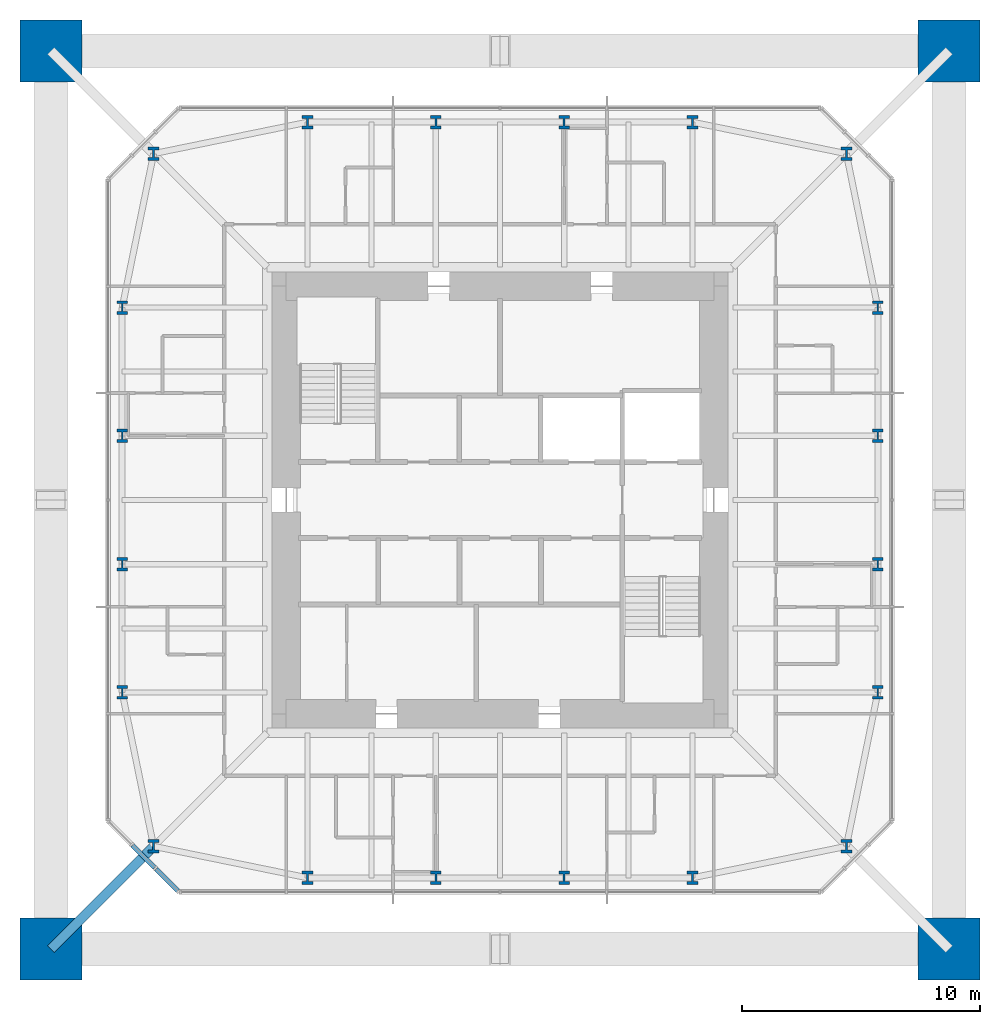
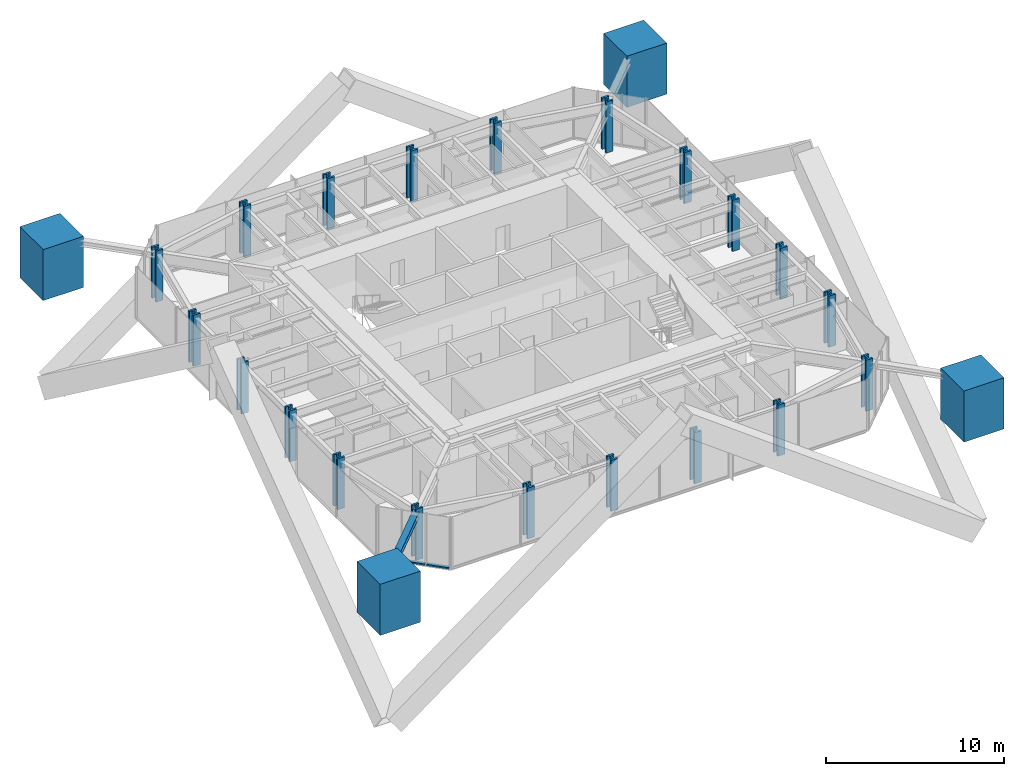
# One storey, part 1 of 10: 24 columns, 3 members, 1 element without a shape of its own.
"""IFC4 building model written with IfcOpenShell, lengths in metres."""

from ifc_helpers import new_model, si_unit, direction, frame, origin, origin_2d, place, context, subcontext, project, spatial, rectangle, i_section, extrude, material, material_profile, profile_set, type_object, element, aggregate, save


model = new_model("IFC4")

# Units and contexts
model_context = context("Model", 3, precision=1e-05, world=origin(), true_north=direction((0.0, 1.0)))
body_context = subcontext(model_context, "Body", "Model", "MODEL_VIEW")
ifc_project = project(units=[si_unit("LENGTHUNIT", "METRE"), si_unit("AREAUNIT", "SQUARE_METRE"), si_unit("VOLUMEUNIT", "CUBIC_METRE"), si_unit("PLANEANGLEUNIT", "RADIAN"), si_unit("MASSUNIT", "GRAM", prefix="KILO")], contexts=[model_context])

# Site, building, storey
site_placement = place(None, origin())
site = spatial("IfcSite", under=ifc_project, at=site_placement, CompositionType="ELEMENT")
building_placement = place(site_placement, origin())
building = spatial("IfcBuilding", under=site, at=building_placement, Name="Iwan Alto Co-Living Towers", CompositionType="ELEMENT")
storey_placement = place(building_placement, frame((0.0, 0.0, 246.5)))
storey = spatial("IfcBuildingStorey", under=building, at=storey_placement, Name="L67", CompositionType="ELEMENT", Elevation=246.5)

# Columns
ifc_material_1 = material(Name="Concrete f'c 70 MPa", Category="concrete")
ifc_material_profile_1 = material_profile(ifc_material_1, rectangle(XDim=2.60009765625, YDim=2.60009765625, at=origin_2d()), Name="RC 2600X2600")
ifc_profile_set_1 = profile_set([ifc_material_profile_1], Name="Concrete f'c 70 MPa")
column_type_1 = type_object("IfcColumnType", Name="T1 MEGA COLUMN RC 2600X2600", PredefinedType="COLUMN", material=ifc_profile_set_1)
for number, where, z_axis, x_axis, name in (
    (1, (-18.89990234375, -18.89990234375, 0.0), (0.0, 0.0, 1.0), (1.0, 0.0, 0.0), "T1 mega column SW L67"),
    (2, (18.89990234375, -18.89990234375, 0.0), (0.0, 0.0, 1.0), (1.0, 0.0, 0.0), "T1 mega column SE L67"),
    (3, (18.89990234375, 18.89990234375, 0.0), (0.0, 0.0, 1.0), (1.0, 0.0, 0.0), "T1 mega column NE L67"),
    (4, (-18.89990234375, 18.89990234375, 0.0), (0.0, 0.0, 1.0), (1.0, 0.0, 0.0), "T1 mega column NW L67"),
):
    element("IfcColumn", number, at=place(storey_placement, frame(where, z_axis=z_axis, x_axis=x_axis)), inside=storey, type_object=column_type_1, Name=name, PredefinedType="COLUMN", context=body_context, shape_type="SweptSolid", body=[
        extrude(rectangle(XDim=2.60009765625, YDim=2.60009765625, at=origin_2d()), origin(), (0.0, 0.0, 1.0), 3.5),
        extrude(i_section(OverallWidth=0.4775390625, OverallDepth=0.599365234375, WebThickness=0.10009765625, FlangeThickness=0.139892578125, at=origin_2d()), origin(), (0.0, 0.0, 1.0), 3.5),
    ])
ifc_material_2 = material(Name="Steel ASTM A992 Gr 50", Category="steel")
ifc_material_profile_2 = material_profile(ifc_material_2, i_section(OverallWidth=0.45458984375, OverallDepth=0.56884765625, WebThickness=0.077880859375, FlangeThickness=0.124755859375, at=origin_2d()), Name="W14X730")
ifc_profile_set_2 = profile_set([ifc_material_profile_2], Name="Steel ASTM A992 Gr 50")
column_type_2 = type_object("IfcColumnType", Name="T1 RING COLUMN W14X730", PredefinedType="COLUMN", material=ifc_profile_set_2)
for number, where, z_axis, x_axis, name in (
    (5, (-14.57568359375, -14.57568359375, 0.0), (0.0, 0.0, 1.0), (1.0, 0.0, 0.0), "T1 ring column CSW L67"),
    (6, (-8.10009765625, -15.89990234375, 0.0), (0.0, 0.0, 1.0), (1.0, 0.0, 0.0), "T1 ring column S1 L67"),
    (7, (-2.699951171875, -15.89990234375, 0.0), (0.0, 0.0, 1.0), (1.0, 0.0, 0.0), "T1 ring column S2 L67"),
    (8, (2.699951171875, -15.89990234375, 0.0), (0.0, 0.0, 1.0), (1.0, 0.0, 0.0), "T1 ring column S3 L67"),
    (9, (8.10009765625, -15.89990234375, 0.0), (0.0, 0.0, 1.0), (1.0, 0.0, 0.0), "T1 ring column S4 L67"),
    (10, (14.57568359375, -14.57568359375, 0.0), (0.0, 0.0, 1.0), (1.0, 0.0, 0.0), "T1 ring column CSE L67"),
    (11, (15.89990234375, -8.10009765625, 0.0), (0.0, 0.0, 1.0), (1.0, 0.0, 0.0), "T1 ring column E1 L67"),
    (12, (15.89990234375, -2.699951171875, 0.0), (0.0, 0.0, 1.0), (1.0, 0.0, 0.0), "T1 ring column E2 L67"),
    (13, (15.89990234375, 2.699951171875, 0.0), (0.0, 0.0, 1.0), (1.0, 0.0, 0.0), "T1 ring column E3 L67"),
    (14, (15.89990234375, 8.10009765625, 0.0), (0.0, 0.0, 1.0), (1.0, 0.0, 0.0), "T1 ring column E4 L67"),
    (15, (14.57568359375, 14.57568359375, 0.0), (0.0, 0.0, 1.0), (1.0, 0.0, 0.0), "T1 ring column CNE L67"),
    (16, (8.10009765625, 15.89990234375, 0.0), (0.0, 0.0, 1.0), (1.0, 0.0, 0.0), "T1 ring column N1 L67"),
    (17, (2.699951171875, 15.89990234375, 0.0), (0.0, 0.0, 1.0), (1.0, 0.0, 0.0), "T1 ring column N2 L67"),
    (18, (-2.699951171875, 15.89990234375, 0.0), (0.0, 0.0, 1.0), (1.0, 0.0, 0.0), "T1 ring column N3 L67"),
    (19, (-8.10009765625, 15.89990234375, 0.0), (0.0, 0.0, 1.0), (1.0, 0.0, 0.0), "T1 ring column N4 L67"),
    (20, (-14.57568359375, 14.57568359375, 0.0), (0.0, 0.0, 1.0), (1.0, 0.0, 0.0), "T1 ring column CNW L67"),
    (21, (-15.89990234375, 8.10009765625, 0.0), (0.0, 0.0, 1.0), (1.0, 0.0, 0.0), "T1 ring column W1 L67"),
    (22, (-15.89990234375, 2.699951171875, 0.0), (0.0, 0.0, 1.0), (1.0, 0.0, 0.0), "T1 ring column W2 L67"),
    (23, (-15.89990234375, -2.699951171875, 0.0), (0.0, 0.0, 1.0), (1.0, 0.0, 0.0), "T1 ring column W3 L67"),
    (24, (-15.89990234375, -8.10009765625, 0.0), (0.0, 0.0, 1.0), (1.0, 0.0, 0.0), "T1 ring column W4 L67"),
):
    element("IfcColumn", number, at=place(storey_placement, frame(where, z_axis=z_axis, x_axis=x_axis)), inside=storey, type_object=column_type_2, Name=name, PredefinedType="COLUMN", context=body_context, shape_type="SweptSolid", body=[
        extrude(i_section(OverallWidth=0.45458984375, OverallDepth=0.56884765625, WebThickness=0.077880859375, FlangeThickness=0.124755859375, at=origin_2d()), origin(), (0.0, 0.0, 1.0), 3.5),
    ])

# Curtain wall, members
ifc_material_3 = material(Name="Bronze aluminium unitised frame", Category="aluminium")
curtain_wall_type = type_object("IfcCurtainWallType", Name="CURTAIN WALL CW-B", PredefinedType="NOTDEFINED", material=ifc_material_3)
curtain_wall_placement = place(storey_placement, origin())
curtain_wall = element("IfcCurtainWall", 25, at=curtain_wall_placement, inside=storey, type_object=curtain_wall_type, Name="T1 chamfer curtain wall SW L67", PredefinedType="NOTDEFINED")
ifc_material_4 = material(Name="Aluminium 6063-T6 bronze anodised", Category="aluminium")
ifc_material_profile_3 = material_profile(ifc_material_4, rectangle(XDim=0.199951171875, YDim=0.10009765625, at=origin_2d()), Name="AL 200X100")
ifc_profile_set_3 = profile_set([ifc_material_profile_3], Name="Aluminium 6063-T6 bronze anodised")
member_type_1 = type_object("IfcMemberType", Name="CW-B TRANSOM 200X100", PredefinedType="USERDEFINED", material=ifc_profile_set_3)
member_1_placement = place(storey_placement, frame((-15.4716796875, -14.5283203125, 0.050048828125), z_axis=(0.707106781187, -0.707106781187, 0.0), x_axis=(0.707106781187, 0.707106781187, 0.0)))
member_1 = element("IfcMember", 26, at=member_1_placement, type_object=member_type_1, Name="CW-B transom 2.1", ObjectType="TRANSOM", PredefinedType="USERDEFINED", context=body_context, shape_type="SweptSolid", body=[
    extrude(rectangle(XDim=0.199951171875, YDim=0.10009765625, at=origin_2d()), origin(), (0.0, 0.0, 1.0), 1.334228515625),
])
member_2_placement = place(storey_placement, frame((-14.4716796875, -15.5283203125, 0.050048828125), z_axis=(0.707106781187, -0.707106781187, 0.0), x_axis=(0.707106781187, 0.707106781187, 0.0)))
member_2 = element("IfcMember", 27, at=member_2_placement, type_object=member_type_1, Name="CW-B transom 3.1", ObjectType="TRANSOM", PredefinedType="USERDEFINED", context=body_context, shape_type="SweptSolid", body=[
    extrude(rectangle(XDim=0.199951171875, YDim=0.10009765625, at=origin_2d()), origin(), (0.0, 0.0, 1.0), 1.2939453125),
])
aggregate(curtain_wall, [member_1, member_2])

# Member
ifc_material_5 = material(Name="Steel ASTM A992 Gr 50", Category="steel")
ifc_material_profile_4 = material_profile(ifc_material_5, i_section(OverallWidth=0.393798828125, OverallDepth=0.3759765625, WebThickness=0.017333984375, FlangeThickness=0.027587890625, at=origin_2d()), Name="W14X145")
ifc_profile_set_4 = profile_set([ifc_material_profile_4], Name="Steel ASTM A992 Gr 50")
member_type_2 = type_object("IfcMemberType", Name="T1 MEGA COLUMN FLOOR TIE W14X145", PredefinedType="STRUT", material=ifc_profile_set_4)
member_3_placement = place(storey_placement, frame((-18.89990234375, -18.89990234375, 3.08203125), z_axis=(0.707106781187, 0.707106781187, 0.0), x_axis=(-0.707106781187, 0.707106781187, 0.0)))
element("IfcMember", 28, at=member_3_placement, inside=storey, type_object=member_type_2, Name="T1 mega column floor tie SW L68", PredefinedType="STRUT", context=body_context, shape_type="SweptSolid", body=[
    extrude(i_section(OverallWidth=0.393798828125, OverallDepth=0.3759765625, WebThickness=0.017333984375, FlangeThickness=0.027587890625, at=origin_2d()), origin(), (0.0, 0.0, 1.0), 6.115478515625),
])

save(model, "model.ifc")
